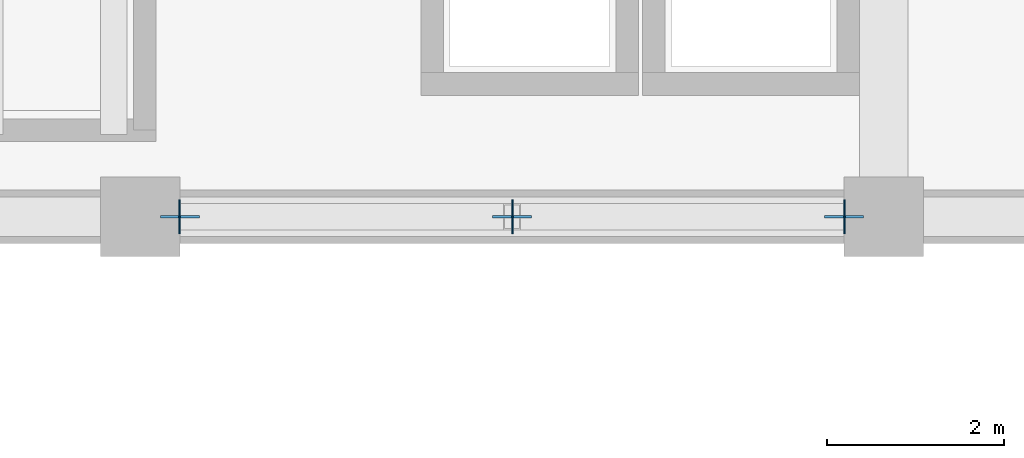
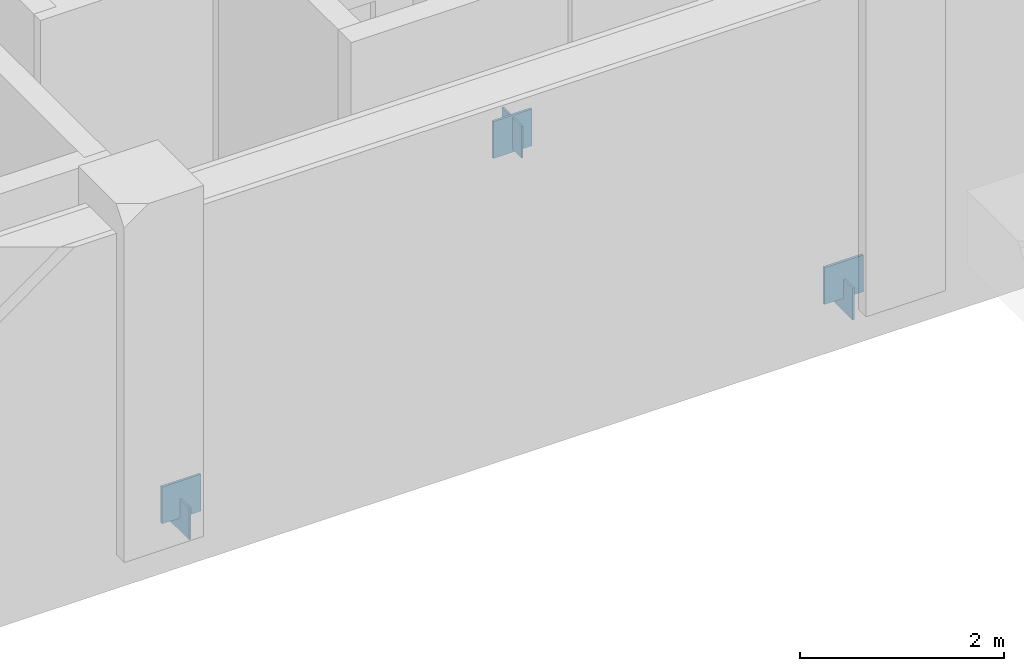
# One storey, part 28 of 63: 6 plates.
"""IFC4 building model written with IfcOpenShell, lengths in metres."""

from ifc_helpers import new_model, si_unit, direction, frame, origin, origin_2d, place, context, subcontext, project, spatial, rectangle, extrude, material, layer, layer_set, type_object, element, save


model = new_model("IFC4")

# Units and contexts
model_context = context("Model", 3, precision=1e-05, world=origin(), true_north=direction((0.0, 1.0)))
body_context = subcontext(model_context, "Body", "Model", "MODEL_VIEW")
ifc_project = project(units=[si_unit("LENGTHUNIT", "METRE"), si_unit("AREAUNIT", "SQUARE_METRE"), si_unit("VOLUMEUNIT", "CUBIC_METRE"), si_unit("PLANEANGLEUNIT", "RADIAN"), si_unit("MASSUNIT", "GRAM", prefix="KILO")], contexts=[model_context])

# Site, building, storey
site_placement = place(None, origin())
site = spatial("IfcSite", under=ifc_project, at=site_placement, CompositionType="ELEMENT")
building_placement = place(site_placement, origin())
building = spatial("IfcBuilding", under=site, at=building_placement, Name="Cumbredor Promenade Congress Hotel", CompositionType="ELEMENT")
storey_placement = place(building_placement, frame((0.0, 0.0, -4.199951171875)))
storey = spatial("IfcBuildingStorey", under=building, at=storey_placement, Name="B01", CompositionType="ELEMENT", Elevation=-4.199951171875)

# Plates
ifc_material = material(Name="Steel ASTM A572 Grade 50", Category="steel")
ifc_layer_1 = layer(ifc_material, 0.02001953125, Name="Steel ASTM A572 Grade 50", Category="steel")
ifc_layer_set_1 = layer_set([ifc_layer_1], Name="Steel ASTM A572 Grade 50")
plate_type_1 = type_object("IfcPlateType", Name="Hollow Section End Cap Plate CP-04", PredefinedType="USERDEFINED", material=ifc_layer_set_1)
for number, where, z_axis, x_axis, name in (
    (1, (17.243896484375, 8.39990234375, -0.1953125), (0.0, 0.0, 1.0), (1.0, 0.0, 0.0), "B01 Chevron Seismic Brace 5A Start Cap Plate"),
    (2, (21.006103515625, 8.39990234375, 3.05517578125), (0.0, 0.0, 1.0), (1.0, 0.0, 0.0), "B01 Chevron Seismic Brace 5A End Cap Plate"),
    (3, (24.756103515625, 8.39990234375, -0.1953125), (0.0, 0.0, 1.0), (-1.0, 0.0, 0.0), "B01 Chevron Seismic Brace 5B Start Cap Plate"),
):
    element("IfcPlate", number, at=place(storey_placement, frame(where, z_axis=z_axis, x_axis=x_axis)), inside=storey, type_object=plate_type_1, Name=name, ObjectType="CAP PLATE", PredefinedType="USERDEFINED", context=body_context, shape_type="SweptSolid", body=[
        extrude(rectangle(XDim=0.02001953125, YDim=0.3798828125, at=origin_2d()), origin(), (0.0, 0.0, 1.0), 0.3798828125),
    ])
ifc_layer_2 = layer(ifc_material, 0.028076171875, Name="Steel ASTM A572 Grade 50", Category="steel")
ifc_layer_set_2 = layer_set([ifc_layer_2], Name="Steel ASTM A572 Grade 50")
plate_type_2 = type_object("IfcPlateType", Name="Space Frame Node Assembly ND-03", PredefinedType="USERDEFINED", material=ifc_layer_set_2)
for number, where, z_axis, x_axis, name in (
    (4, (17.25, 8.39990234375, -0.0400390625), (0.0, 0.0, 1.0), (1.0, 0.0, 0.0), "B01 Seismic Frame Gusset Plate 5-BL"),
    (5, (24.75, 8.39990234375, -0.0400390625), (0.0, 0.0, 1.0), (1.0, 0.0, 0.0), "B01 Seismic Frame Gusset Plate 5-BR"),
    (6, (21.0, 8.39990234375, 3.02001953125), (0.0, 0.0, 1.0), (1.0, 0.0, 0.0), "B01 Seismic Frame Gusset Plate 5-APX"),
):
    element("IfcPlate", number, at=place(storey_placement, frame(where, z_axis=z_axis, x_axis=x_axis)), inside=storey, type_object=plate_type_2, Name=name, ObjectType="GUSSET PLATE", PredefinedType="USERDEFINED", context=body_context, shape_type="SweptSolid", body=[
        extrude(rectangle(XDim=0.43994140625, YDim=0.028076171875, at=origin_2d()), origin(), (0.0, 0.0, 1.0), 0.43994140625),
    ])

save(model, "model.ifc")
